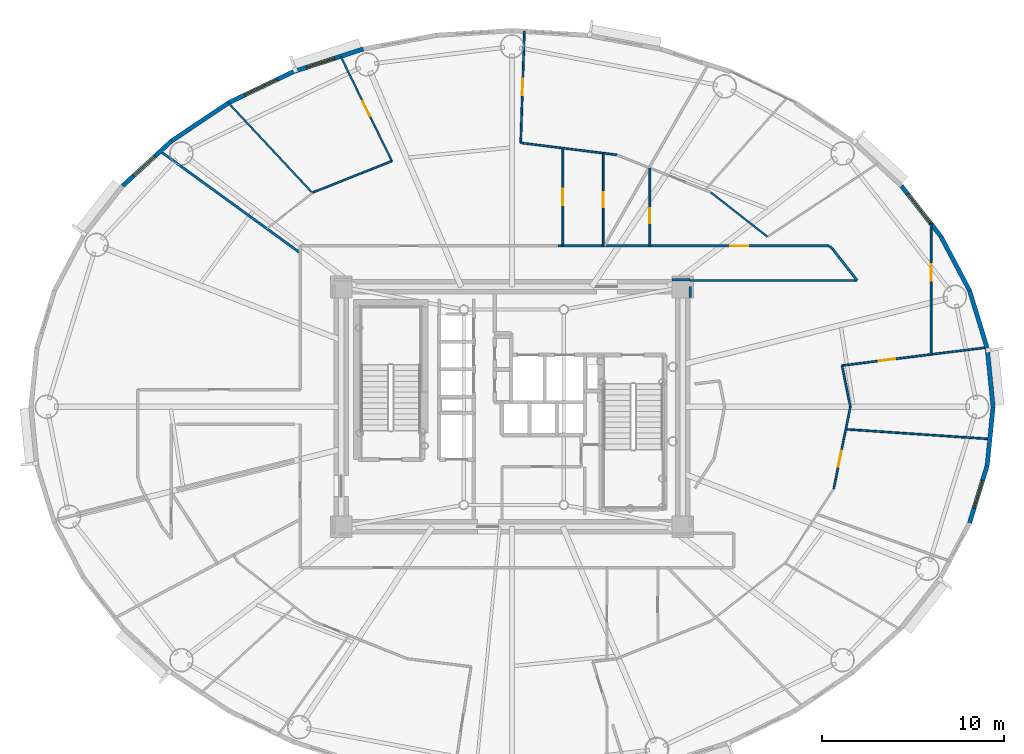
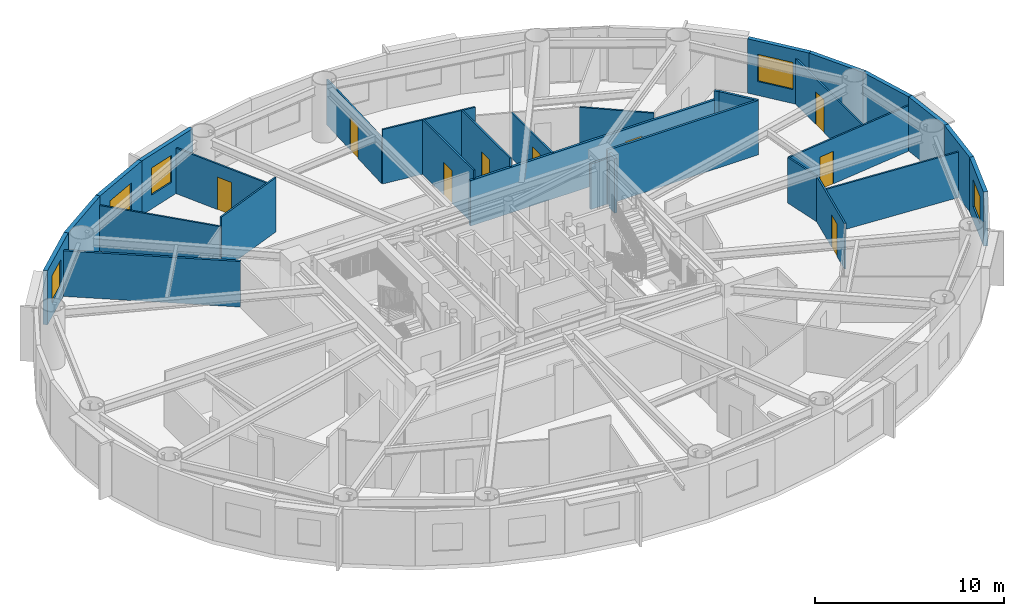
# One storey, part 10 of 17: 31 walls, 9 doors, 5 windows, 14 openings.
"""IFC4 building model written with IfcOpenShell, lengths in metres."""

from ifc_helpers import new_model, si_unit, direction, frame, frame_2d, origin, origin_2d, place, context, subcontext, project, spatial, rectangle, extrude, source, transform, mapped, material, layer, layer_set, type_object, element, fill, save


model = new_model("IFC4")

# Units and contexts
model_context = context("Model", 3, precision=1e-05, world=origin(), true_north=direction((0.0, 1.0)))
body_context = subcontext(model_context, "Body", "Model", "MODEL_VIEW")
ifc_project = project(units=[si_unit("LENGTHUNIT", "METRE"), si_unit("AREAUNIT", "SQUARE_METRE"), si_unit("VOLUMEUNIT", "CUBIC_METRE"), si_unit("PLANEANGLEUNIT", "RADIAN"), si_unit("MASSUNIT", "GRAM", prefix="KILO")], contexts=[model_context])

# Site, building, storey
site_placement = place(None, origin())
site = spatial("IfcSite", under=ifc_project, at=site_placement, CompositionType="ELEMENT")
building_placement = place(site_placement, origin())
building = spatial("IfcBuilding", under=site, at=building_placement, Name="Linh Dai School and Residence Tower", CompositionType="ELEMENT")
storey_placement = place(building_placement, frame((0.0, 0.0, 197.39990234375)))
storey = spatial("IfcBuildingStorey", under=building, at=storey_placement, Name="L48", CompositionType="ELEMENT", Elevation=197.39990234375)

# Walls
ifc_material_1 = material(Name="Precast Concrete B45 (C35/45)", Category="concrete")
ifc_layer_1 = layer(ifc_material_1, 0.239990234375)
ifc_layer_set_1 = layer_set([ifc_layer_1], Name="Precast Concrete B45 (C35/45)")
wall_type_1 = type_object("IfcWallType", Name="EW-TC-240", PredefinedType="SOLIDWALL", material=ifc_layer_set_1)
wall_1_placement = place(storey_placement, frame((62.14990234375, 30.233642578125, 0.0), z_axis=(0.0, 0.0, 1.0), x_axis=(0.100061534614, -0.994981250723, 0.0)))
element("IfcWall", 1, at=wall_1_placement, inside=storey, type_object=wall_type_1, Name="L48 Terracotta Exterior Wall 01", PredefinedType="SOLIDWALL", context=body_context, shape_type="SweptSolid", body=[
    extrude(rectangle(XDim=3.25, YDim=0.239990234375, at=frame_2d((1.625, 0.0))), origin(), (0.0, 0.0, 1.0), 3.5),
])
wall_2_placement = place(storey_placement, frame((61.1826171875, 33.388916015625, 0.0), z_axis=(0.0, 0.0, 1.0), x_axis=(0.293097995113, -0.956082405058, 0.0)))
element("IfcWall", 2, at=wall_2_placement, inside=storey, type_object=wall_type_1, Name="L48 Terracotta Exterior Wall 02", PredefinedType="SOLIDWALL", context=body_context, shape_type="SweptSolid", body=[
    extrude(rectangle(XDim=3.30029296875, YDim=0.239990234375, at=frame_2d((1.650146484375, 0.0))), origin(), (0.0, 0.0, 1.0), 3.5),
])
wall_3_placement = place(storey_placement, frame((59.595947265625, 36.388427734375, 0.0), z_axis=(0.0, 0.0, 1.0), x_axis=(0.467586874938, -0.88394712194, 0.0)))
element("IfcWall", 3, at=wall_3_placement, inside=storey, type_object=wall_type_1, Name="L48 Terracotta Exterior Wall 03", PredefinedType="SOLIDWALL", context=body_context, shape_type="SweptSolid", body=[
    extrude(rectangle(XDim=3.393310546875, YDim=0.239990234375, at=frame_2d((1.69677734375, 0.0))), origin(), (0.0, 0.0, 1.0), 3.5),
])

# Wall, opening, window
wall_4_placement = place(storey_placement, frame((57.42822265625, 39.158447265625, 0.0), z_axis=(0.0, 0.0, 1.0), x_axis=(0.616287674549, -0.787521112224, 0.0)))
wall_4 = element("IfcWall", 4, at=wall_4_placement, inside=storey, type_object=wall_type_1, Name="L48 Terracotta Exterior Wall 04", PredefinedType="SOLIDWALL", context=body_context, shape_type="SweptSolid", body=[
    extrude(rectangle(XDim=3.517333984375, YDim=0.239990234375, at=frame_2d((1.7587890625, 0.0))), origin(), (0.0, 0.0, 1.0), 3.5),
])
opening_1_placement = place(wall_4_placement, frame((0.5791015625, 0.0, 0.89990234375)))
opening_1 = element("IfcOpeningElement", 5, at=opening_1_placement, cuts=wall_4, Name="Opening W1", PredefinedType="OPENING", context=body_context, shape_type="SweptSolid", body=[
    extrude(rectangle(XDim=2.0, YDim=1.75, at=origin_2d()), frame((1.0, 0.1298828125, 0.875), z_axis=(0.0, -1.0, 0.0), x_axis=(1.0, 0.0, 0.0)), (0.0, 0.0, 1.0), 0.260009765625),
])
ifc_material_2 = material(Name="Double Low-E Insulated Glazing", Category="glass")
window_type_1 = type_object("IfcWindowType", Name="WN-RES-2000x1750", PartitioningType="DOUBLE_PANEL_VERTICAL", PredefinedType="WINDOW", material=ifc_material_2)
shared_shape_1 = source(origin(), body_context, "Body", "SweptSolid", [
    extrude(rectangle(XDim=2.0, YDim=1.75, at=origin_2d()), frame((1.0, 0.030029296875, 0.875), z_axis=(0.0, -1.0, 0.0), x_axis=(1.0, 0.0, 0.0)), (0.0, 0.0, 1.0), 0.06005859375),
])
window_1_placement = place(opening_1_placement, origin())
window_1 = element("IfcWindow", 6, at=window_1_placement, inside=storey, type_object=window_type_1, Name="L48 Exterior Window 04.1", OverallHeight=1.75, OverallWidth=2.0, PartitioningType="DOUBLE_PANEL_VERTICAL", PredefinedType="WINDOW", context=body_context, shape_type="MappedRepresentation", body=[
    mapped(shared_shape_1, transform((0.0, 0.0, 0.0), x_axis=(1.0, 0.0, 0.0), y_axis=(0.0, 1.0, 0.0), z_axis=(0.0, 0.0, 1.0), scale=1.0)),
])
fill(opening_1, window_1)

wall_5_placement = place(storey_placement, frame((23.97021484375, 45.443603515625, 0.0), z_axis=(0.0, 0.0, 1.0), x_axis=(0.951209870236, 0.30854462038, 0.0)))
wall_5 = element("IfcWall", 7, at=wall_5_placement, inside=storey, type_object=wall_type_1, Name="L48 Terracotta Exterior Wall 13", PredefinedType="SOLIDWALL", context=body_context, shape_type="SweptSolid", body=[
    extrude(rectangle(XDim=4.037841796875, YDim=0.239990234375, at=frame_2d((2.01904296875, 0.0))), origin(), (0.0, 0.0, 1.0), 3.5),
])
opening_2_placement = place(wall_5_placement, frame((0.77001953125, 0.0, 0.89990234375)))
opening_2 = element("IfcOpeningElement", 8, at=opening_2_placement, cuts=wall_5, Name="Opening W2", PredefinedType="OPENING", context=body_context, shape_type="SweptSolid", body=[
    extrude(rectangle(XDim=1.60009765625, YDim=1.75, at=origin_2d()), frame((0.800048828125, 0.1298828125, 0.875), z_axis=(0.0, -1.0, 0.0), x_axis=(1.0, 0.0, 0.0)), (0.0, 0.0, 1.0), 0.260009765625),
])
window_type_2 = type_object("IfcWindowType", Name="WN-RES-1600x1750", PartitioningType="DOUBLE_PANEL_VERTICAL", PredefinedType="WINDOW", material=ifc_material_2)
shared_shape_2 = source(origin(), body_context, "Body", "SweptSolid", [
    extrude(rectangle(XDim=1.60009765625, YDim=1.75, at=origin_2d()), frame((0.800048828125, 0.030029296875, 0.875), z_axis=(0.0, -1.0, 0.0), x_axis=(1.0, 0.0, 0.0)), (0.0, 0.0, 1.0), 0.06005859375),
])
window_2_placement = place(opening_2_placement, origin())
window_2 = element("IfcWindow", 9, at=window_2_placement, inside=storey, type_object=window_type_2, Name="L48 Exterior Window 13.1", OverallHeight=1.75, OverallWidth=1.60009765625, PartitioningType="DOUBLE_PANEL_VERTICAL", PredefinedType="WINDOW", context=body_context, shape_type="MappedRepresentation", body=[
    mapped(shared_shape_2, transform((0.0, 0.0, 0.0), x_axis=(1.0, 0.0, 0.0), y_axis=(0.0, 1.0, 0.0), z_axis=(0.0, 0.0, 1.0), scale=1.0)),
])
fill(opening_2, window_2)

wall_6_placement = place(storey_placement, frame((20.4267578125, 43.7431640625, 0.0), z_axis=(0.0, 0.0, 1.0), x_axis=(0.901564733809, 0.432644231155, 0.0)))
wall_6 = element("IfcWall", 10, at=wall_6_placement, inside=storey, type_object=wall_type_1, Name="L48 Terracotta Exterior Wall 14", PredefinedType="SOLIDWALL", context=body_context, shape_type="SweptSolid", body=[
    extrude(rectangle(XDim=3.930419921875, YDim=0.239990234375, at=frame_2d((1.96533203125, 0.0))), origin(), (0.0, 0.0, 1.0), 3.5),
])
opening_3_placement = place(wall_6_placement, frame((0.960205078125, 0.0, 0.89990234375)))
opening_3 = element("IfcOpeningElement", 11, at=opening_3_placement, cuts=wall_6, Name="Opening W1", PredefinedType="OPENING", context=body_context, shape_type="SweptSolid", body=[
    extrude(rectangle(XDim=2.0, YDim=1.75, at=origin_2d()), frame((1.0, 0.1298828125, 0.875), z_axis=(0.0, -1.0, 0.0), x_axis=(1.0, 0.0, 0.0)), (0.0, 0.0, 1.0), 0.260009765625),
])
window_3_placement = place(opening_3_placement, origin())
window_3 = element("IfcWindow", 12, at=window_3_placement, inside=storey, type_object=window_type_1, Name="L48 Exterior Window 14.1", OverallHeight=1.75, OverallWidth=2.0, PartitioningType="DOUBLE_PANEL_VERTICAL", PredefinedType="WINDOW", context=body_context, shape_type="MappedRepresentation", body=[
    mapped(shared_shape_1, transform((0.0, 0.0, 0.0), x_axis=(1.0, 0.0, 0.0), y_axis=(0.0, 1.0, 0.0), z_axis=(0.0, 0.0, 1.0), scale=1.0)),
])
fill(opening_3, window_3)

# Wall
wall_7_placement = place(storey_placement, frame((17.26806640625, 41.630615234375, 0.0), z_axis=(0.0, 0.0, 1.0), x_axis=(0.831228998277, 0.555930168657, 0.0)))
element("IfcWall", 13, at=wall_7_placement, inside=storey, type_object=wall_type_1, Name="L48 Terracotta Exterior Wall 15", PredefinedType="SOLIDWALL", context=body_context, shape_type="SweptSolid", body=[
    extrude(rectangle(XDim=3.800048828125, YDim=0.239990234375, at=frame_2d((1.89990234375, 0.0))), origin(), (0.0, 0.0, 1.0), 3.5),
])

# Wall, opening, window
wall_8_placement = place(storey_placement, frame((14.57177734375, 39.158447265625, 0.0), z_axis=(0.0, 0.0, 1.0), x_axis=(0.737076565834, 0.675809245349, 0.0)))
wall_8 = element("IfcWall", 14, at=wall_8_placement, inside=storey, type_object=wall_type_1, Name="L48 Terracotta Exterior Wall 16", PredefinedType="SOLIDWALL", context=body_context, shape_type="SweptSolid", body=[
    extrude(rectangle(XDim=3.658203125, YDim=0.239990234375, at=frame_2d((1.8291015625, 0.0))), origin(), (0.0, 0.0, 1.0), 3.5),
])
opening_4_placement = place(wall_8_placement, frame((0.815185546875, 0.0, 0.89990234375)))
opening_4 = element("IfcOpeningElement", 15, at=opening_4_placement, cuts=wall_8, Name="Opening W2", PredefinedType="OPENING", context=body_context, shape_type="SweptSolid", body=[
    extrude(rectangle(XDim=1.60009765625, YDim=1.75, at=origin_2d()), frame((0.800048828125, 0.1298828125, 0.875), z_axis=(0.0, -1.0, 0.0), x_axis=(1.0, 0.0, 0.0)), (0.0, 0.0, 1.0), 0.260009765625),
])
window_4_placement = place(opening_4_placement, origin())
window_4 = element("IfcWindow", 16, at=window_4_placement, inside=storey, type_object=window_type_2, Name="L48 Exterior Window 16.1", OverallHeight=1.75, OverallWidth=1.60009765625, PartitioningType="DOUBLE_PANEL_VERTICAL", PredefinedType="WINDOW", context=body_context, shape_type="MappedRepresentation", body=[
    mapped(shared_shape_2, transform((0.0, 0.0, 0.0), x_axis=(1.0, 0.0, 0.0), y_axis=(0.0, 1.0, 0.0), z_axis=(0.0, 0.0, 1.0), scale=1.0)),
])
fill(opening_4, window_4)

wall_9_placement = place(storey_placement, frame((62.14990234375, 23.766357421875, 0.0), z_axis=(0.0, 0.0, 1.0), x_axis=(-0.293097995113, -0.956082405058, 0.0)))
wall_9 = element("IfcWall", 17, at=wall_9_placement, inside=storey, type_object=wall_type_1, Name="L48 Terracotta Exterior Wall 39", PredefinedType="SOLIDWALL", context=body_context, shape_type="SweptSolid", body=[
    extrude(rectangle(XDim=3.30029296875, YDim=0.239990234375, at=frame_2d((1.650146484375, 0.0))), origin(), (0.0, 0.0, 1.0), 3.5),
])
opening_5_placement = place(wall_9_placement, frame((0.85009765625, 0.0, 0.89990234375)))
opening_5 = element("IfcOpeningElement", 18, at=opening_5_placement, cuts=wall_9, Name="Opening W2", PredefinedType="OPENING", context=body_context, shape_type="SweptSolid", body=[
    extrude(rectangle(XDim=1.60009765625, YDim=1.75, at=origin_2d()), frame((0.800048828125, 0.1298828125, 0.875), z_axis=(0.0, -1.0, 0.0), x_axis=(1.0, 0.0, 0.0)), (0.0, 0.0, 1.0), 0.260009765625),
])
window_5_placement = place(opening_5_placement, origin())
window_5 = element("IfcWindow", 19, at=window_5_placement, inside=storey, type_object=window_type_2, Name="L48 Exterior Window 39.1", OverallHeight=1.75, OverallWidth=1.60009765625, PartitioningType="DOUBLE_PANEL_VERTICAL", PredefinedType="WINDOW", context=body_context, shape_type="MappedRepresentation", body=[
    mapped(shared_shape_2, transform((0.0, 0.0, 0.0), x_axis=(1.0, 0.0, 0.0), y_axis=(0.0, 1.0, 0.0), z_axis=(0.0, 0.0, 1.0), scale=1.0)),
])
fill(opening_5, window_5)

# Walls
wall_10_placement = place(storey_placement, frame((62.47509765625, 27.0, 0.0), z_axis=(0.0, 0.0, 1.0), x_axis=(-0.100061534614, -0.994981250723, 0.0)))
element("IfcWall", 20, at=wall_10_placement, inside=storey, type_object=wall_type_1, Name="L48 Terracotta Exterior Wall 40", PredefinedType="SOLIDWALL", context=body_context, shape_type="SweptSolid", body=[
    extrude(rectangle(XDim=3.25, YDim=0.239990234375, at=frame_2d((1.625, 0.0))), origin(), (0.0, 0.0, 1.0), 3.5),
])
ifc_material_3 = material(Name="Autoclaved Aerated Concrete Blockwork", Category="masonry")
ifc_layer_2 = layer(ifc_material_3, 0.135009765625)
ifc_layer_set_2 = layer_set([ifc_layer_2], Name="Autoclaved Aerated Concrete Blockwork")
wall_type_2 = type_object("IfcWallType", Name="IW-CORR-135-EI90", PredefinedType="PARTITIONING", material=ifc_layer_set_2)
wall_11_placement = place(storey_placement, frame((16.642578125, 41.06396484375, 0.0), z_axis=(0.0, 0.0, 1.0), x_axis=(0.809016355942, -0.587786131018, 0.0)))
element("IfcWall", 21, at=wall_11_placement, inside=storey, type_object=wall_type_2, Name="L48 Interior Partition Wall 007", PredefinedType="PARTITIONING", context=body_context, shape_type="SweptSolid", body=[
    extrude(rectangle(XDim=9.527099609375, YDim=0.135009765625, at=frame_2d((4.763671875, 0.0))), origin(), (0.0, 0.0, 1.0), 2.93505859375),
])

# Wall, opening, door
wall_12_placement = place(storey_placement, frame((38.541259765625, 35.85009765625, 0.0), z_axis=(0.0, 0.0, 1.0), x_axis=(1.0, 0.0, 0.0)))
wall_12 = element("IfcWall", 22, at=wall_12_placement, inside=storey, type_object=wall_type_2, Name="L48 Interior Partition Wall 055", PredefinedType="PARTITIONING", context=body_context, shape_type="SweptSolid", body=[
    extrude(rectangle(XDim=14.91259765625, YDim=0.135009765625, at=frame_2d((7.456298828125, 0.0))), origin(), (0.0, 0.0, 1.0), 2.93505859375),
])
opening_6_placement = place(wall_12_placement, frame((9.4599609375, 0.0, 0.0)))
opening_6 = element("IfcOpeningElement", 23, at=opening_6_placement, cuts=wall_12, Name="Opening D03", PredefinedType="OPENING", context=body_context, shape_type="SweptSolid", body=[
    extrude(rectangle(XDim=1.0, YDim=2.14990234375, at=origin_2d()), frame((0.5, 0.07763671875, 1.074951171875), z_axis=(0.0, -1.0, 0.0), x_axis=(1.0, 0.0, 0.0)), (0.0, 0.0, 1.0), 0.155029296875),
])
ifc_material_4 = material(Name="Fire-Rated Solid Timber Entrance Door", Category="wood")
door_type_1 = type_object("IfcDoorType", Name="DR-FLAT-1000x2150-FD60S", OperationType="NOTDEFINED", PredefinedType="DOOR", material=ifc_material_4)
shared_shape_3 = source(origin(), body_context, "Body", "SweptSolid", [
    extrude(rectangle(XDim=1.0, YDim=2.14990234375, at=origin_2d()), frame((0.5, 0.02490234375, 1.074951171875), z_axis=(0.0, -1.0, 0.0), x_axis=(1.0, 0.0, 0.0)), (0.0, 0.0, 1.0), 0.050048828125),
])
door_1_placement = place(opening_6_placement, origin())
door_1 = element("IfcDoor", 24, at=door_1_placement, inside=storey, type_object=door_type_1, Name="L48 U4802 Apartment Entrance Door", OperationType="SINGLE_SWING_LEFT", OverallHeight=2.14990234375, OverallWidth=1.0, PredefinedType="DOOR", context=body_context, shape_type="MappedRepresentation", body=[
    mapped(shared_shape_3, transform((0.0, 0.0, 0.0), x_axis=(1.0, 0.0, 0.0), y_axis=(0.0, 1.0, 0.0), z_axis=(0.0, 0.0, 1.0), scale=1.0)),
])
fill(opening_6, door_1)

# Walls
wall_13_placement = place(storey_placement, frame((45.800048828125, 33.949951171875, 0.0), z_axis=(0.0, 0.0, 1.0), x_axis=(1.0, 0.0, 0.0)))
element("IfcWall", 25, at=wall_13_placement, inside=storey, type_object=wall_type_2, Name="L48 Interior Partition Wall 075", PredefinedType="PARTITIONING", context=body_context, shape_type="SweptSolid", body=[
    extrude(rectangle(XDim=9.197021484375, YDim=0.135009765625, at=frame_2d((4.5986328125, 0.0))), origin(), (0.0, 0.0, 1.0), 3.5),
])
wall_14_placement = place(storey_placement, frame((53.453857421875, 35.85009765625, 0.0), z_axis=(0.0, 0.0, 1.0), x_axis=(0.736667385572, -0.676255249913, 0.0)))
element("IfcWall", 26, at=wall_14_placement, inside=storey, type_object=wall_type_2, Name="L48 Interior Partition Wall 084", PredefinedType="PARTITIONING", context=body_context, shape_type="SweptSolid", body=[
    extrude(rectangle(XDim=0.270751953125, YDim=0.135009765625, at=frame_2d((0.13525390625, 0.0))), origin(), (0.0, 0.0, 1.0), 3.5),
])
wall_15_placement = place(storey_placement, frame((53.6533203125, 35.6669921875, 0.0), z_axis=(0.0, 0.0, 1.0), x_axis=(0.616302223209, -0.787509726713, 0.0)))
element("IfcWall", 27, at=wall_15_placement, inside=storey, type_object=wall_type_2, Name="L48 Interior Partition Wall 085", PredefinedType="PARTITIONING", context=body_context, shape_type="SweptSolid", body=[
    extrude(rectangle(XDim=2.180419921875, YDim=0.135009765625, at=frame_2d((1.09033203125, 0.0))), origin(), (0.0, 0.0, 1.0), 3.5),
])
wall_16_placement = place(storey_placement, frame((45.7900390625, 34.0, 0.0), z_axis=(0.0, 0.0, 1.0), x_axis=(-1.0, 0.0, 0.0)))
element("IfcWall", 28, at=wall_16_placement, inside=storey, type_object=wall_type_2, Name="L48 Interior Partition Wall 098", PredefinedType="PARTITIONING", context=body_context, shape_type="SweptSolid", body=[
    extrude(rectangle(XDim=0.97998046875, YDim=0.135009765625, at=frame_2d((0.489990234375, 0.0))), origin(), (0.0, 0.0, 1.0), 2.93505859375),
])
wall_17_placement = place(storey_placement, frame((45.800048828125, 33.010009765625, 0.0), z_axis=(0.0, 0.0, 1.0), x_axis=(0.0, 1.0, 0.0)))
element("IfcWall", 29, at=wall_17_placement, inside=storey, type_object=wall_type_2, Name="L48 Interior Partition Wall 114", PredefinedType="PARTITIONING", context=body_context, shape_type="SweptSolid", body=[
    extrude(rectangle(XDim=0.612548828125, YDim=0.135009765625, at=frame_2d((0.30615234375, 0.0))), origin(), (0.0, 0.0, 1.0), 3.5),
])
ifc_material_5 = material(Name="Gypsum Plasterboard Acoustic Stud Partition", Category="masonry")
ifc_layer_3 = layer(ifc_material_5, 0.10009765625)
ifc_layer_set_3 = layer_set([ifc_layer_3], Name="Gypsum Plasterboard Acoustic Stud Partition")
wall_type_3 = type_object("IfcWallType", Name="IW-UNIT-100", PredefinedType="PARTITIONING", material=ifc_layer_set_3)
wall_18_placement = place(storey_placement, frame((20.39013671875, 43.724853515625, 0.0), z_axis=(0.0, 0.0, 1.0), x_axis=(0.682297728918, -0.73107442105, 0.0)))
element("IfcWall", 30, at=wall_18_placement, inside=storey, type_object=wall_type_3, Name="L48 Interior Partition Wall 013", PredefinedType="PARTITIONING", context=body_context, shape_type="SweptSolid", body=[
    extrude(rectangle(XDim=6.7822265625, YDim=0.10009765625, at=frame_2d((3.39111328125, 0.0))), origin(), (0.0, 0.0, 1.0), 2.93505859375),
])
wall_19_placement = place(storey_placement, frame((25.055419921875, 38.79638671875, 0.0), z_axis=(0.0, 0.0, 1.0), x_axis=(0.928801214375, 0.370578337434, 0.0)))
element("IfcWall", 31, at=wall_19_placement, inside=storey, type_object=wall_type_3, Name="L48 Interior Partition Wall 024", PredefinedType="PARTITIONING", context=body_context, shape_type="SweptSolid", body=[
    extrude(rectangle(XDim=4.664306640625, YDim=0.10009765625, at=frame_2d((2.33203125, 0.0))), origin(), (0.0, 0.0, 1.0), 3.5),
])

# Wall, opening, door
wall_20_placement = place(storey_placement, frame((26.568359375, 46.29150390625, 0.0), z_axis=(0.0, 0.0, 1.0), x_axis=(0.439223775301, -0.898377690735, 0.0)))
wall_20 = element("IfcWall", 32, at=wall_20_placement, inside=storey, type_object=wall_type_3, Name="L48 Interior Partition Wall 025", PredefinedType="PARTITIONING", context=body_context, shape_type="SweptSolid", body=[
    extrude(rectangle(XDim=6.4189453125, YDim=0.10009765625, at=frame_2d((3.20947265625, 0.0))), origin(), (0.0, 0.0, 1.0), 2.93505859375),
])
opening_7_placement = place(wall_20_placement, frame((2.759521484375, 0.0, 0.0)))
opening_7 = element("IfcOpeningElement", 33, at=opening_7_placement, cuts=wall_20, Name="Opening D05", PredefinedType="OPENING", context=body_context, shape_type="SweptSolid", body=[
    extrude(rectangle(XDim=0.89990234375, YDim=2.10009765625, at=origin_2d()), frame((0.449951171875, 0.06005859375, 1.050048828125), z_axis=(0.0, -1.0, 0.0), x_axis=(1.0, 0.0, 0.0)), (0.0, 0.0, 1.0), 0.1201171875),
])
ifc_material_6 = material(Name="Engineered Timber Internal Door", Category="wood")
door_type_2 = type_object("IfcDoorType", Name="DR-INT-900x2100", OperationType="NOTDEFINED", PredefinedType="DOOR", material=ifc_material_6)
shared_shape_4 = source(origin(), body_context, "Body", "SweptSolid", [
    extrude(rectangle(XDim=0.89990234375, YDim=2.10009765625, at=origin_2d()), frame((0.449951171875, 0.02490234375, 1.050048828125), z_axis=(0.0, -1.0, 0.0), x_axis=(1.0, 0.0, 0.0)), (0.0, 0.0, 1.0), 0.050048828125),
])
door_2_placement = place(opening_7_placement, origin())
door_2 = element("IfcDoor", 34, at=door_2_placement, inside=storey, type_object=door_type_2, Name="L48 Apartment U4803 Principal Bedroom 2 Door", OperationType="SINGLE_SWING_RIGHT", OverallHeight=2.10009765625, OverallWidth=0.89990234375, PredefinedType="DOOR", context=body_context, shape_type="MappedRepresentation", body=[
    mapped(shared_shape_4, transform((0.0, 0.0, 0.0), x_axis=(1.0, 0.0, 0.0), y_axis=(0.0, 1.0, 0.0), z_axis=(0.0, 0.0, 1.0), scale=1.0)),
])
fill(opening_7, door_2)

wall_21_placement = place(storey_placement, frame((36.479736328125, 41.521484375, 0.0), z_axis=(0.0, 0.0, 1.0), x_axis=(0.033029315495, 0.99945438331, 0.0)))
wall_21 = element("IfcWall", 35, at=wall_21_placement, inside=storey, type_object=wall_type_3, Name="L48 Interior Partition Wall 050", PredefinedType="PARTITIONING", context=body_context, shape_type="SweptSolid", body=[
    extrude(rectangle(XDim=6.14990234375, YDim=0.10009765625, at=frame_2d((3.074951171875, 0.0))), origin(), (0.0, 0.0, 1.0), 2.93505859375),
])
opening_8_placement = place(wall_21_placement, frame((2.625, 0.0, 0.0)))
opening_8 = element("IfcOpeningElement", 36, at=opening_8_placement, cuts=wall_21, Name="Opening D05", PredefinedType="OPENING", context=body_context, shape_type="SweptSolid", body=[
    extrude(rectangle(XDim=0.89990234375, YDim=2.10009765625, at=origin_2d()), frame((0.449951171875, 0.06005859375, 1.050048828125), z_axis=(0.0, -1.0, 0.0), x_axis=(1.0, 0.0, 0.0)), (0.0, 0.0, 1.0), 0.1201171875),
])
door_3_placement = place(opening_8_placement, origin())
door_3 = element("IfcDoor", 37, at=door_3_placement, inside=storey, type_object=door_type_2, Name="L48 Apartment U4803 Principal Bedroom 1 Door", OperationType="SINGLE_SWING_LEFT", OverallHeight=2.10009765625, OverallWidth=0.89990234375, PredefinedType="DOOR", context=body_context, shape_type="MappedRepresentation", body=[
    mapped(shared_shape_4, transform((0.0, 0.0, 0.0), x_axis=(1.0, 0.0, 0.0), y_axis=(0.0, 1.0, 0.0), z_axis=(0.0, 0.0, 1.0), scale=1.0)),
])
fill(opening_8, door_3)

# Wall
wall_22_placement = place(storey_placement, frame((36.479736328125, 41.521484375, 0.0), z_axis=(0.0, 0.0, 1.0), x_axis=(0.992397562131, -0.123073468612, 0.0)))
element("IfcWall", 38, at=wall_22_placement, inside=storey, type_object=wall_type_3, Name="L48 Interior Partition Wall 051", PredefinedType="PARTITIONING", context=body_context, shape_type="SweptSolid", body=[
    extrude(rectangle(XDim=5.314208984375, YDim=0.10009765625, at=frame_2d((2.6572265625, 0.0))), origin(), (0.0, 0.0, 1.0), 3.5),
])

# Wall, opening, door
wall_23_placement = place(storey_placement, frame((38.798828125, 35.85009765625, 0.0), z_axis=(0.0, 0.0, 1.0), x_axis=(0.0, 1.0, 0.0)))
wall_23 = element("IfcWall", 39, at=wall_23_placement, inside=storey, type_object=wall_type_3, Name="L48 Interior Partition Wall 056", PredefinedType="PARTITIONING", context=body_context, shape_type="SweptSolid", body=[
    extrude(rectangle(XDim=5.3837890625, YDim=0.10009765625, at=frame_2d((2.69189453125, 0.0))), origin(), (0.0, 0.0, 1.0), 3.5),
])
opening_9_placement = place(wall_23_placement, frame((2.241943359375, 0.0, 0.0)))
opening_9 = element("IfcOpeningElement", 40, at=opening_9_placement, cuts=wall_23, Name="Opening D05", PredefinedType="OPENING", context=body_context, shape_type="SweptSolid", body=[
    extrude(rectangle(XDim=0.89990234375, YDim=2.10009765625, at=origin_2d()), frame((0.449951171875, 0.06005859375, 1.050048828125), z_axis=(0.0, -1.0, 0.0), x_axis=(1.0, 0.0, 0.0)), (0.0, 0.0, 1.0), 0.1201171875),
])
door_4_placement = place(opening_9_placement, origin())
door_4 = element("IfcDoor", 41, at=door_4_placement, inside=storey, type_object=door_type_2, Name="L48 Apartment U4803 Kitchen Door", OperationType="SINGLE_SWING_RIGHT", OverallHeight=2.10009765625, OverallWidth=0.89990234375, PredefinedType="DOOR", context=body_context, shape_type="MappedRepresentation", body=[
    mapped(shared_shape_4, transform((0.0, 0.0, 0.0), x_axis=(1.0, 0.0, 0.0), y_axis=(0.0, 1.0, 0.0), z_axis=(0.0, 0.0, 1.0), scale=1.0)),
])
fill(opening_9, door_4)

wall_24_placement = place(storey_placement, frame((41.02001953125, 35.85009765625, 0.0), z_axis=(0.0, 0.0, 1.0), x_axis=(0.0, 1.0, 0.0)))
wall_24 = element("IfcWall", 42, at=wall_24_placement, inside=storey, type_object=wall_type_3, Name="L48 Interior Partition Wall 065", PredefinedType="PARTITIONING", context=body_context, shape_type="SweptSolid", body=[
    extrude(rectangle(XDim=5.108154296875, YDim=0.10009765625, at=frame_2d((2.55419921875, 0.0))), origin(), (0.0, 0.0, 1.0), 3.5),
])
opening_10_placement = place(wall_24_placement, frame((2.144287109375, 0.0, 0.0)))
opening_10 = element("IfcOpeningElement", 43, at=opening_10_placement, cuts=wall_24, Name="Opening D06", PredefinedType="OPENING", context=body_context, shape_type="SweptSolid", body=[
    extrude(rectangle(XDim=0.820068359375, YDim=2.10009765625, at=origin_2d()), frame((0.41015625, 0.06005859375, 1.050048828125), z_axis=(0.0, -1.0, 0.0), x_axis=(1.0, 0.0, 0.0)), (0.0, 0.0, 1.0), 0.1201171875),
])
ifc_material_7 = material(Name="Moisture-Resistant Timber Bathroom Door", Category="wood")
door_type_3 = type_object("IfcDoorType", Name="DR-WET-820x2100", OperationType="NOTDEFINED", PredefinedType="DOOR", material=ifc_material_7)
shared_shape_5 = source(origin(), body_context, "Body", "SweptSolid", [
    extrude(rectangle(XDim=0.820068359375, YDim=2.10009765625, at=origin_2d()), frame((0.41015625, 0.02490234375, 1.050048828125), z_axis=(0.0, -1.0, 0.0), x_axis=(1.0, 0.0, 0.0)), (0.0, 0.0, 1.0), 0.050048828125),
])
door_5_placement = place(opening_10_placement, origin())
door_5 = element("IfcDoor", 44, at=door_5_placement, inside=storey, type_object=door_type_3, Name="L48 Apartment U4803 Bathroom 1 Door", OperationType="SINGLE_SWING_LEFT", OverallHeight=2.10009765625, OverallWidth=0.820068359375, PredefinedType="DOOR", context=body_context, shape_type="MappedRepresentation", body=[
    mapped(shared_shape_5, transform((0.0, 0.0, 0.0), x_axis=(1.0, 0.0, 0.0), y_axis=(0.0, 1.0, 0.0), z_axis=(0.0, 0.0, 1.0), scale=1.0)),
])
fill(opening_10, door_5)

wall_25_placement = place(storey_placement, frame((43.5888671875, 35.85009765625, 0.0), z_axis=(0.0, 0.0, 1.0), x_axis=(0.0, 1.0, 0.0)))
wall_25 = element("IfcWall", 45, at=wall_25_placement, inside=storey, type_object=wall_type_3, Name="L48 Interior Partition Wall 070", PredefinedType="PARTITIONING", context=body_context, shape_type="SweptSolid", body=[
    extrude(rectangle(XDim=4.28515625, YDim=0.10009765625, at=frame_2d((2.142578125, 0.0))), origin(), (0.0, 0.0, 1.0), 2.93505859375),
])
opening_11_placement = place(wall_25_placement, frame((1.248779296875, 0.0, 0.0)))
opening_11 = element("IfcOpeningElement", 46, at=opening_11_placement, cuts=wall_25, Name="Opening D06", PredefinedType="OPENING", context=body_context, shape_type="SweptSolid", body=[
    extrude(rectangle(XDim=0.820068359375, YDim=2.10009765625, at=origin_2d()), frame((0.41015625, 0.06005859375, 1.050048828125), z_axis=(0.0, -1.0, 0.0), x_axis=(1.0, 0.0, 0.0)), (0.0, 0.0, 1.0), 0.1201171875),
])
door_6_placement = place(opening_11_placement, origin())
door_6 = element("IfcDoor", 47, at=door_6_placement, inside=storey, type_object=door_type_3, Name="L48 Apartment U4802 Bathroom 1 Door", OperationType="SINGLE_SWING_RIGHT", OverallHeight=2.10009765625, OverallWidth=0.820068359375, PredefinedType="DOOR", context=body_context, shape_type="MappedRepresentation", body=[
    mapped(shared_shape_5, transform((0.0, 0.0, 0.0), x_axis=(1.0, 0.0, 0.0), y_axis=(0.0, 1.0, 0.0), z_axis=(0.0, 0.0, 1.0), scale=1.0)),
])
fill(opening_11, door_6)

# Wall
wall_26_placement = place(storey_placement, frame((46.944580078125, 38.79638671875, 0.0), z_axis=(0.0, 0.0, 1.0), x_axis=(0.787314896848, -0.616551095369, 0.0)))
element("IfcWall", 48, at=wall_26_placement, inside=storey, type_object=wall_type_3, Name="L48 Interior Partition Wall 078", PredefinedType="PARTITIONING", context=body_context, shape_type="SweptSolid", body=[
    extrude(rectangle(XDim=3.95751953125, YDim=0.10009765625, at=frame_2d((1.978759765625, 0.0))), origin(), (0.0, 0.0, 1.0), 2.93505859375),
])

# Wall, opening, door
wall_27_placement = place(storey_placement, frame((53.708740234375, 22.494140625, 0.0), z_axis=(0.0, 0.0, 1.0), x_axis=(0.19825018224, 0.980151450155, 0.0)))
wall_27 = element("IfcWall", 49, at=wall_27_placement, inside=storey, type_object=wall_type_3, Name="L48 Interior Partition Wall 086", PredefinedType="PARTITIONING", context=body_context, shape_type="SweptSolid", body=[
    extrude(rectangle(XDim=4.59716796875, YDim=0.10009765625, at=frame_2d((2.298583984375, 0.0))), origin(), (0.0, 0.0, 1.0), 2.93505859375),
])
opening_12_placement = place(wall_27_placement, frame((1.236572265625, 0.0, 0.0)))
opening_12 = element("IfcOpeningElement", 50, at=opening_12_placement, cuts=wall_27, Name="Opening D05", PredefinedType="OPENING", context=body_context, shape_type="SweptSolid", body=[
    extrude(rectangle(XDim=0.89990234375, YDim=2.10009765625, at=origin_2d()), frame((0.449951171875, 0.06005859375, 1.050048828125), z_axis=(0.0, -1.0, 0.0), x_axis=(1.0, 0.0, 0.0)), (0.0, 0.0, 1.0), 0.1201171875),
])
door_7_placement = place(opening_12_placement, origin())
door_7 = element("IfcDoor", 51, at=door_7_placement, inside=storey, type_object=door_type_2, Name="L48 Apartment U4802 Principal Bedroom 2 Door", OperationType="SINGLE_SWING_RIGHT", OverallHeight=2.10009765625, OverallWidth=0.89990234375, PredefinedType="DOOR", context=body_context, shape_type="MappedRepresentation", body=[
    mapped(shared_shape_4, transform((0.0, 0.0, 0.0), x_axis=(1.0, 0.0, 0.0), y_axis=(0.0, 1.0, 0.0), z_axis=(0.0, 0.0, 1.0), scale=1.0)),
])
fill(opening_12, door_7)

# Wall
wall_28_placement = place(storey_placement, frame((54.1611328125, 29.26904296875, 0.0), z_axis=(0.0, 0.0, 1.0), x_axis=(0.198265432228, -0.980148365495, 0.0)))
element("IfcWall", 52, at=wall_28_placement, inside=storey, type_object=wall_type_3, Name="L48 Interior Partition Wall 087", PredefinedType="PARTITIONING", context=body_context, shape_type="SweptSolid", body=[
    extrude(rectangle(XDim=2.31494140625, YDim=0.10009765625, at=frame_2d((1.157470703125, 0.0))), origin(), (0.0, 0.0, 1.0), 2.93505859375),
])

# Wall, opening, door
wall_29_placement = place(storey_placement, frame((54.1611328125, 29.26904296875, 0.0), z_axis=(0.0, 0.0, 1.0), x_axis=(0.99228860955, 0.123948841697, 0.0)))
wall_29 = element("IfcWall", 53, at=wall_29_placement, inside=storey, type_object=wall_type_3, Name="L48 Interior Partition Wall 088", PredefinedType="PARTITIONING", context=body_context, shape_type="SweptSolid", body=[
    extrude(rectangle(XDim=8.046142578125, YDim=0.10009765625, at=frame_2d((4.02294921875, 0.0))), origin(), (0.0, 0.0, 1.0), 2.93505859375),
])
opening_13_placement = place(wall_29_placement, frame((2.0419921875, 0.0, 0.0)))
opening_13 = element("IfcOpeningElement", 54, at=opening_13_placement, cuts=wall_29, Name="Opening D05", PredefinedType="OPENING", context=body_context, shape_type="SweptSolid", body=[
    extrude(rectangle(XDim=0.89990234375, YDim=2.10009765625, at=origin_2d()), frame((0.449951171875, 0.06005859375, 1.050048828125), z_axis=(0.0, -1.0, 0.0), x_axis=(1.0, 0.0, 0.0)), (0.0, 0.0, 1.0), 0.1201171875),
])
door_8_placement = place(opening_13_placement, origin())
door_8 = element("IfcDoor", 55, at=door_8_placement, inside=storey, type_object=door_type_2, Name="L48 Apartment U4802 Study Door", OperationType="SINGLE_SWING_LEFT", OverallHeight=2.10009765625, OverallWidth=0.89990234375, PredefinedType="DOOR", context=body_context, shape_type="MappedRepresentation", body=[
    mapped(shared_shape_4, transform((0.0, 0.0, 0.0), x_axis=(1.0, 0.0, 0.0), y_axis=(0.0, 1.0, 0.0), z_axis=(0.0, 0.0, 1.0), scale=1.0)),
])
fill(opening_13, door_8)

# Wall
wall_30_placement = place(storey_placement, frame((54.369384765625, 25.76123046875, 0.0), z_axis=(0.0, 0.0, 1.0), x_axis=(0.99773610993, -0.06725068729, 0.0)))
element("IfcWall", 56, at=wall_30_placement, inside=storey, type_object=wall_type_3, Name="L48 Interior Partition Wall 089", PredefinedType="PARTITIONING", context=body_context, shape_type="SweptSolid", body=[
    extrude(rectangle(XDim=7.950439453125, YDim=0.10009765625, at=frame_2d((3.97509765625, 0.0))), origin(), (0.0, 0.0, 1.0), 2.93505859375),
])

# Wall, opening, door
wall_31_placement = place(storey_placement, frame((59.066650390625, 29.8818359375, 0.0), z_axis=(0.0, 0.0, 1.0), x_axis=(0.0, 1.0, 0.0)))
wall_31 = element("IfcWall", 57, at=wall_31_placement, inside=storey, type_object=wall_type_3, Name="L48 Interior Partition Wall 090", PredefinedType="PARTITIONING", context=body_context, shape_type="SweptSolid", body=[
    extrude(rectangle(XDim=7.191162109375, YDim=0.10009765625, at=frame_2d((3.595703125, 0.0))), origin(), (0.0, 0.0, 1.0), 2.93505859375),
])
opening_14_placement = place(wall_31_placement, frame((4.05322265625, 0.0, 0.0)))
opening_14 = element("IfcOpeningElement", 58, at=opening_14_placement, cuts=wall_31, Name="Opening D05", PredefinedType="OPENING", context=body_context, shape_type="SweptSolid", body=[
    extrude(rectangle(XDim=0.89990234375, YDim=2.10009765625, at=origin_2d()), frame((0.449951171875, 0.06005859375, 1.050048828125), z_axis=(0.0, -1.0, 0.0), x_axis=(1.0, 0.0, 0.0)), (0.0, 0.0, 1.0), 0.1201171875),
])
door_9_placement = place(opening_14_placement, origin())
door_9 = element("IfcDoor", 59, at=door_9_placement, inside=storey, type_object=door_type_2, Name="L48 Apartment U4802 Kitchen Door", OperationType="SINGLE_SWING_LEFT", OverallHeight=2.10009765625, OverallWidth=0.89990234375, PredefinedType="DOOR", context=body_context, shape_type="MappedRepresentation", body=[
    mapped(shared_shape_4, transform((0.0, 0.0, 0.0), x_axis=(1.0, 0.0, 0.0), y_axis=(0.0, 1.0, 0.0), z_axis=(0.0, 0.0, 1.0), scale=1.0)),
])
fill(opening_14, door_9)

save(model, "model.ifc")
